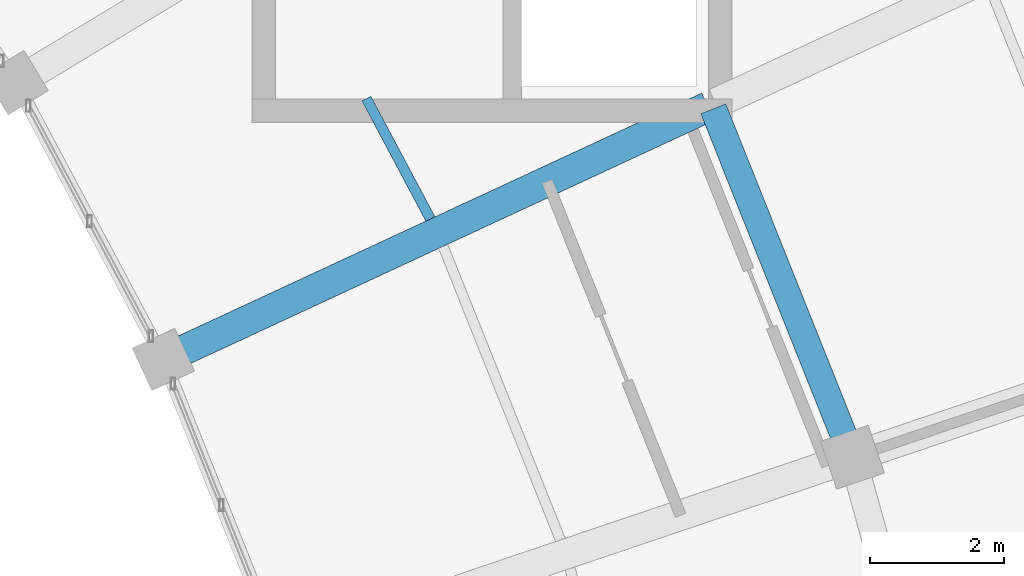
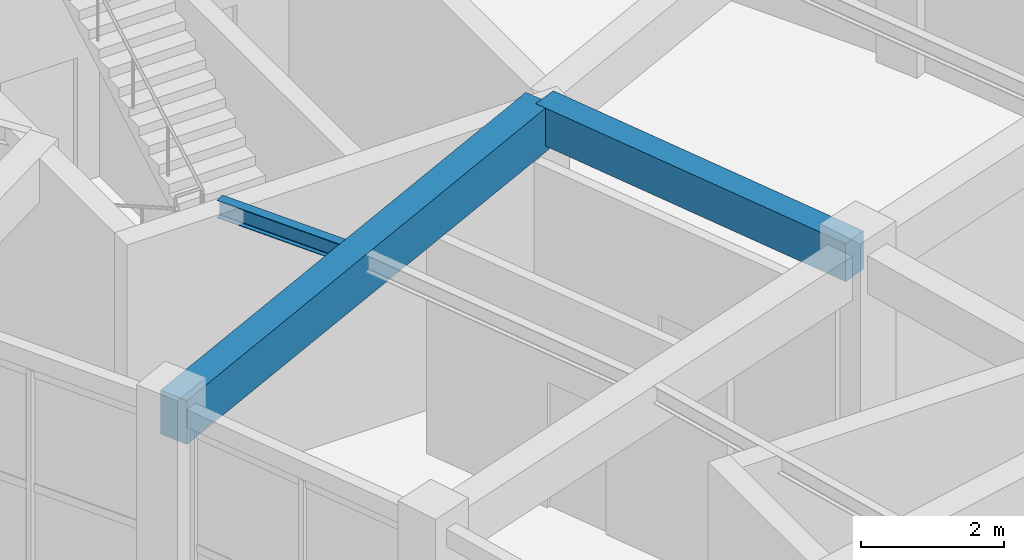
# One storey, part 72 of 108: 3 beams.
"""IFC4 building model written with IfcOpenShell, lengths in metres."""

import ifcopenshell
import ifcopenshell.guid

model = None  # the IFC model being written
_history = None  # IfcOwnerHistory: only IFC2X3 demands one
_inside = {}  # id of a spatial element -> (the spatial element, [elements in it])
_under = {}  # id of a project, library or spatial element -> (it, [spatial elements below it])
_declared = {}  # id of a project -> (the project, [libraries it declares])
_typed = {}  # id of a type object -> (the type object, [elements of that type])
_made_of = {}  # id of a material, layer set ... -> (it, [elements and type objects made of it])


def new_model(schema):
    """Start an empty IFC model of exactly this schema.

    Asked for "IFC4X3", IfcOpenShell would pick the latest addendum, in which some entities
    have other attributes; the version numbers below select the first issue.
    IFC2X3 requires an IfcOwnerHistory on every rooted entity: one is made here for all.
    """
    global model, _history
    if schema == "IFC4X3":
        model = ifcopenshell.file(schema_version=(4, 3, 0, 0))
    else:
        model = ifcopenshell.file(schema=schema)
    _inside.clear()
    _under.clear()
    _declared.clear()
    _typed.clear()
    _made_of.clear()
    _history = None
    if model.schema == "IFC2X3":
        org = make("IfcOrganization", Name="unknown")
        user = make(
            "IfcPersonAndOrganization",
            ThePerson=make("IfcPerson", FamilyName="unknown"),
            TheOrganization=org,
        )
        app = make(
            "IfcApplication",
            ApplicationDeveloper=org,
            Version="unknown",
            ApplicationFullName="unknown",
            ApplicationIdentifier="unknown",
        )
        _history = make(
            "IfcOwnerHistory",
            OwningUser=user,
            OwningApplication=app,
            ChangeAction="ADDED",
            CreationDate=0,
        )
    return model


def make(cls, **values):
    """One entity of the class cls with the attributes given. An attribute that is None is left unset."""
    return model.create_entity(
        cls, **{name: value for name, value in values.items() if value is not None}
    )


def rooted(cls, **values):
    """An entity with a GlobalId (a new one), such as an element, a storey or a relation."""
    return make(cls, GlobalId=ifcopenshell.guid.new(), OwnerHistory=_history, **values)


def si_unit(unit_type, name, prefix=None):
    """IfcSIUnit, for example si_unit("LENGTHUNIT", "METRE", prefix="MILLI")."""
    return make("IfcSIUnit", UnitType=unit_type, Prefix=prefix, Name=name)


def assignment(units):
    """IfcUnitAssignment: the units of a project."""
    return None if units is None else make("IfcUnitAssignment", Units=units)


def point(xyz):
    """IfcCartesianPoint."""
    return None if xyz is None else make("IfcCartesianPoint", Coordinates=xyz)


def direction(xyz):
    """IfcDirection."""
    return None if xyz is None else make("IfcDirection", DirectionRatios=xyz)


def frame(location, z_axis=None, x_axis=None):
    """IfcAxis2Placement3D, a coordinate frame: its origin and axes. An axis left out is left unset."""
    return make(
        "IfcAxis2Placement3D",
        Location=point(location),
        Axis=direction(z_axis),
        RefDirection=direction(x_axis),
    )


def frame_2d(location, x_axis=None):
    """IfcAxis2Placement2D, a coordinate frame in the plane: its origin and x axis."""
    return make(
        "IfcAxis2Placement2D", Location=point(location), RefDirection=direction(x_axis)
    )


def origin():
    """The frame at (0, 0, 0) with its axes left unset."""
    return frame((0.0, 0.0, 0.0))


def origin_2d():
    """The frame at (0, 0) in the plane with its x axis left unset."""
    return frame_2d((0.0, 0.0))


def place(relative_to, where):
    """IfcLocalPlacement: puts the frame where relative to a parent placement (None: the world)."""
    return make(
        "IfcLocalPlacement", PlacementRelTo=relative_to, RelativePlacement=where
    )


def context(
    kind, dimensions, precision=None, world=None, true_north=None, identifier=None
):
    """IfcGeometricRepresentationContext, for example the 3D "Model" context."""
    return make(
        "IfcGeometricRepresentationContext",
        ContextIdentifier=identifier,
        ContextType=kind,
        CoordinateSpaceDimension=dimensions,
        Precision=precision,
        WorldCoordinateSystem=world,
        TrueNorth=true_north,
    )


def subcontext(parent, identifier, kind, view, scale=None):
    """IfcGeometricRepresentationSubContext, for example "Body" below "Model"."""
    return make(
        "IfcGeometricRepresentationSubContext",
        ContextIdentifier=identifier,
        ContextType=kind,
        ParentContext=parent,
        TargetScale=scale,
        TargetView=view,
    )


def project(units=None, contexts=None):
    """IfcProject with its units and contexts."""
    return rooted(
        "IfcProject",
        Name="project",
        RepresentationContexts=contexts,
        UnitsInContext=assignment(units),
    )


def spatial(cls, under=None, at=None, **own):
    """A site, building, storey or space (cls), placed at a placement, below another one or the project."""
    s = rooted(cls, ObjectPlacement=at, **own)
    if under is not None:
        _under.setdefault(under.id(), (under, []))[1].append(s)
    return s


def profile(cls, at=None, kind="AREA", **sizes):
    """A parametric profile (cls). Its sizes go by their IFC names, for example OverallWidth=200.0."""
    return make(cls, ProfileType=kind, Position=at, **sizes)


def rectangle(**sizes):
    """IfcRectangleProfileDef."""
    return profile("IfcRectangleProfileDef", **sizes)


def i_section(**sizes):
    """IfcIShapeProfileDef."""
    return profile("IfcIShapeProfileDef", **sizes)


def extrude(swept, where, along, depth):
    """IfcExtrudedAreaSolid: the profile swept, set in the frame where, extruded along a direction by depth."""
    return make(
        "IfcExtrudedAreaSolid",
        SweptArea=swept,
        Position=where,
        ExtrudedDirection=direction(along),
        Depth=depth,
    )


def shape(context_of_items, identifier, shape_type, items):
    """IfcShapeRepresentation: the items that make up one representation, for example the "Body"."""
    return make(
        "IfcShapeRepresentation",
        ContextOfItems=context_of_items,
        RepresentationIdentifier=identifier,
        RepresentationType=shape_type,
        Items=items,
    )


def material(Name=None, Category=None):
    """IfcMaterial."""
    return make("IfcMaterial", Name=Name, Category=Category)


def material_profile(
    of_material, cross_section, Name=None, Category=None, Priority=None
):
    """IfcMaterialProfile: a cross section and its material."""
    return make(
        "IfcMaterialProfile",
        Name=Name,
        Material=of_material,
        Profile=cross_section,
        Priority=Priority,
        Category=Category,
    )


def profile_set(profiles, Name=None, composite=None):
    """IfcMaterialProfileSet."""
    return make(
        "IfcMaterialProfileSet",
        Name=Name,
        MaterialProfiles=profiles,
        CompositeProfile=composite,
    )


def made_of(thing, what):
    """Note that an element or type object is made of a material, layer set ...; save() writes the relation."""
    if what is not None:
        _made_of.setdefault(what.id(), (what, []))[1].append(thing)
    return thing


def type_object(cls, material=None, **own):
    """A type object (cls), such as IfcWallType, which elements share."""
    return made_of(rooted(cls, **own), material)


def element(
    cls,
    number,
    at=None,
    inside=None,
    cuts=None,
    type_object=None,
    material=None,
    context=None,
    identifier="Body",
    shape_type=None,
    held_by="IfcProductDefinitionShape",
    body=None,
    shapes=None,
    **own,
):
    """One element of the class cls, such as IfcWall. Its Tag is "e" and its number.

    at: its placement. inside: the storey or other place that contains it. cuts: it is an
    opening in that element (IfcRelVoidsElement). A single representation is given by context,
    identifier, shape_type and body (its items); several are given by shapes. held_by: the class
    of the entity that holds the representations. save() writes the other relations.
    """
    e = rooted(cls, Tag="e%d" % number, ObjectPlacement=at, **own)
    if body is not None:
        shapes = [shape(context, identifier, shape_type, body)]
    if shapes is not None:
        e.Representation = make(held_by, Representations=shapes)
    if inside is not None:
        _inside.setdefault(inside.id(), (inside, []))[1].append(e)
    if cuts is not None:
        rooted(
            "IfcRelVoidsElement", RelatingBuildingElement=cuts, RelatedOpeningElement=e
        )
    if type_object is not None:
        _typed.setdefault(type_object.id(), (type_object, []))[1].append(e)
    return made_of(e, material)


def aggregate(whole, parts):
    """IfcRelAggregates: a whole, such as a stair, and the parts it consists of."""
    return rooted("IfcRelAggregates", RelatingObject=whole, RelatedObjects=parts)


def save(model, path):
    """Write the relations noted so far, then the file.

    IfcRelAggregates (storeys below a building ...), IfcRelContainedInSpatialStructure (elements
    in a storey), IfcRelDefinesByType, IfcRelAssociatesMaterial and IfcRelDeclares: one each for
    every whole, place, type object, material and project.
    """
    for whole, parts in _under.values():
        aggregate(whole, parts)
    for where, things in _inside.values():
        rooted(
            "IfcRelContainedInSpatialStructure",
            RelatedElements=things,
            RelatingStructure=where,
        )
    for kind, things in _typed.values():
        rooted("IfcRelDefinesByType", RelatedObjects=things, RelatingType=kind)
    for what, things in _made_of.values():
        rooted("IfcRelAssociatesMaterial", RelatedObjects=things, RelatingMaterial=what)
    for by, libraries in _declared.values():
        rooted("IfcRelDeclares", RelatingContext=by, RelatedDefinitions=libraries)
    model.write(path)


model = new_model("IFC4")

# Units and contexts
model_context = context("Model", 3, precision=1e-05, world=origin(), true_north=direction((0.0, 1.0)))
body_context = subcontext(model_context, "Body", "Model", "MODEL_VIEW")
ifc_project = project(units=[si_unit("LENGTHUNIT", "METRE"), si_unit("AREAUNIT", "SQUARE_METRE"), si_unit("VOLUMEUNIT", "CUBIC_METRE"), si_unit("PLANEANGLEUNIT", "RADIAN"), si_unit("MASSUNIT", "GRAM", prefix="KILO")], contexts=[model_context])

# Site, building, storey
site_placement = place(None, origin())
site = spatial("IfcSite", under=ifc_project, at=site_placement, CompositionType="ELEMENT")
building_placement = place(site_placement, origin())
building = spatial("IfcBuilding", under=site, at=building_placement, Name="Tarnveldt Headland Concert Hall", CompositionType="ELEMENT")
storey_placement = place(building_placement, origin())
storey = spatial("IfcBuildingStorey", under=building, at=storey_placement, Name="L00", CompositionType="ELEMENT", Elevation=0.0)

# Beams
ifc_material_1 = material(Name="Concrete C40/50", Category="concrete")
ifc_material_profile_1 = material_profile(ifc_material_1, rectangle(XDim=0.39990234375, YDim=0.64990234375, at=origin_2d()), Name="RC 400x650", Category="concrete")
ifc_profile_set_1 = profile_set([ifc_material_profile_1], Name="Concrete C40/50")
beam_type_1 = type_object("IfcBeamType", Name="CB-400x650", PredefinedType="BEAM", material=ifc_profile_set_1)
beam_1_placement = place(storey_placement, frame((166.7421875, 76.698974609375, 4.195068359375), z_axis=(-0.370963937019, 0.928647272882, 0.0), x_axis=(-0.928647272882, -0.370963937019, 0.0)))
element("IfcBeam", 1, at=beam_1_placement, inside=storey, type_object=beam_type_1, Name="Framing beam L00-512", PredefinedType="BEAM", context=body_context, shape_type="SweptSolid", body=[
    extrude(rectangle(XDim=0.39990234375, YDim=0.64990234375, at=origin_2d()), origin(), (0.0, 0.0, 1.0), 5.5244140625),
])
ifc_material_profile_2 = material_profile(ifc_material_1, rectangle(XDim=0.449951171875, YDim=0.75, at=origin_2d()), Name="RC 450x750", Category="concrete")
ifc_profile_set_2 = profile_set([ifc_material_profile_2], Name="Concrete C40/50")
beam_type_2 = type_object("IfcBeamType", Name="CB-450x750", PredefinedType="BEAM", material=ifc_profile_set_2)
beam_2_placement = place(storey_placement, frame((156.560791015625, 78.122314453125, 4.14501953125), z_axis=(0.907136064141, 0.420837452153, 0.0), x_axis=(-0.420837452153, 0.907136064141, 0.0)))
element("IfcBeam", 2, at=beam_2_placement, inside=storey, type_object=beam_type_2, Name="Framing beam L00-516", PredefinedType="BEAM", context=body_context, shape_type="SweptSolid", body=[
    extrude(rectangle(XDim=0.449951171875, YDim=0.75, at=origin_2d()), origin(), (0.0, 0.0, 1.0), 8.880126953125),
])
ifc_material_2 = material(Name="Steel S355", Category="steel")
ifc_material_profile_3 = material_profile(ifc_material_2, i_section(OverallWidth=0.14990234375, OverallDepth=0.300048828125, WebThickness=0.007080078125, FlangeThickness=0.0107421875, FilletRadius=0.014892578125, at=origin_2d()), Name="IPE300", Category="steel")
ifc_profile_set_3 = profile_set([ifc_material_profile_3], Name="Steel S355")
beam_type_3 = type_object("IfcBeamType", Name="SB-IPE300", PredefinedType="JOIST", material=ifc_profile_set_3)
beam_3_placement = place(storey_placement, frame((160.48291015625, 80.189453125, 4.3701171875), z_axis=(-0.469513142254, 0.882925483408, 0.0), x_axis=(-0.882925483408, -0.469513142254, 0.0)))
element("IfcBeam", 3, at=beam_3_placement, inside=storey, type_object=beam_type_3, Name="Framing beam L00-520", PredefinedType="JOIST", context=body_context, shape_type="SweptSolid", body=[
    extrude(i_section(OverallWidth=0.14990234375, OverallDepth=0.300048828125, WebThickness=0.007080078125, FlangeThickness=0.0107421875, FilletRadius=0.014892578125, at=origin_2d()), origin(), (0.0, 0.0, 1.0), 2.02783203125),
])

save(model, "model.ifc")
